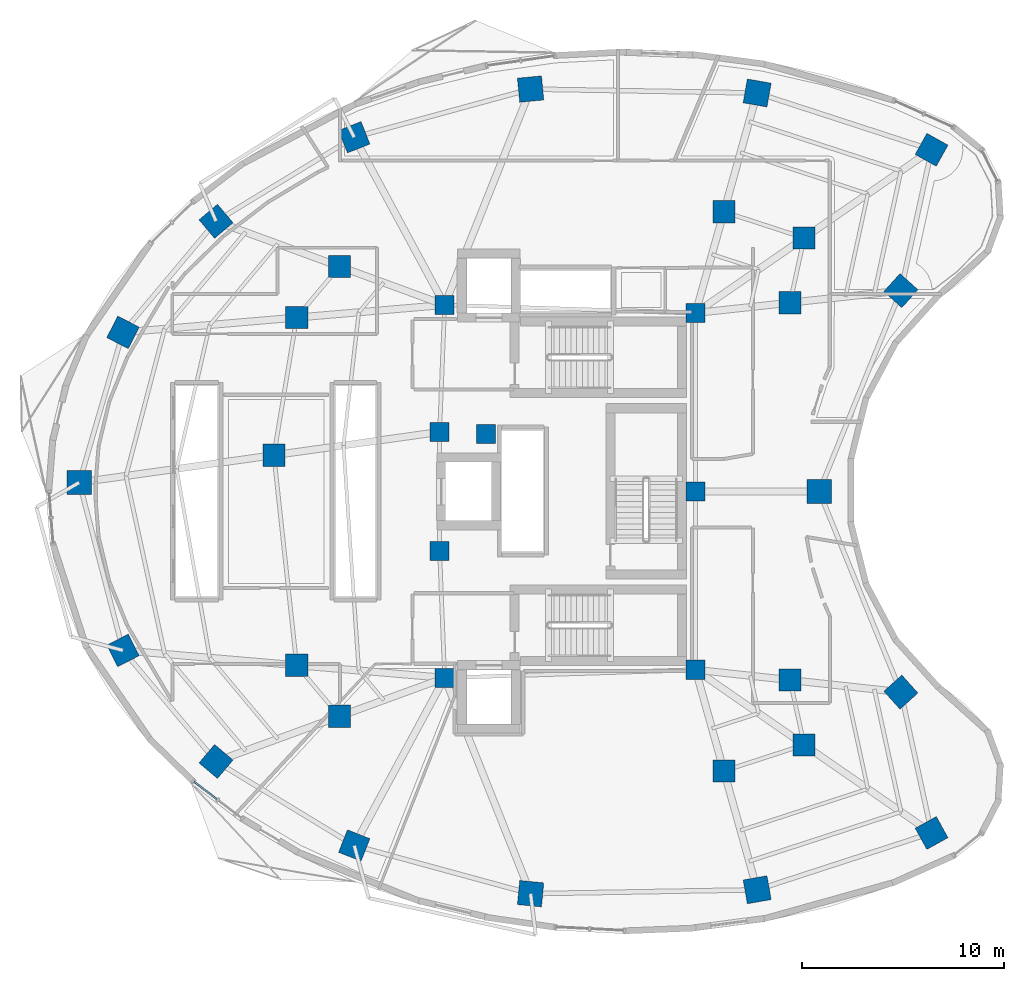
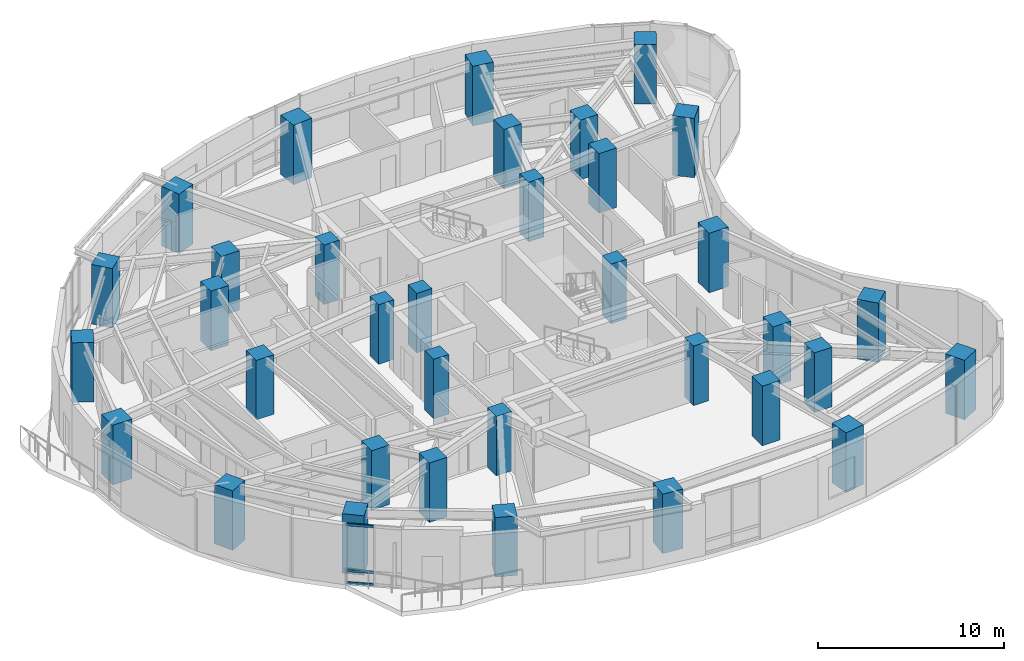
# One storey, part 1 of 14: 35 columns, 3 members, 1 element without a shape of its own.
"""IFC4 building model written with IfcOpenShell, lengths in metres."""

from ifc_helpers import new_model, si_unit, direction, frame, origin, origin_2d, place, context, subcontext, project, spatial, rectangle, extrude, material, layer, layer_set, material_profile, profile_set, type_object, element, aggregate, save


model = new_model("IFC4")

# Units and contexts
model_context = context("Model", 3, precision=1e-05, world=origin(), true_north=direction((0.0, 1.0)))
body_context = subcontext(model_context, "Body", "Model", "MODEL_VIEW")
ifc_project = project(units=[si_unit("LENGTHUNIT", "METRE"), si_unit("AREAUNIT", "SQUARE_METRE"), si_unit("VOLUMEUNIT", "CUBIC_METRE"), si_unit("PLANEANGLEUNIT", "RADIAN"), si_unit("MASSUNIT", "GRAM", prefix="KILO")], contexts=[model_context])

# Site, building, storey
site_placement = place(None, origin())
site = spatial("IfcSite", under=ifc_project, at=site_placement, CompositionType="ELEMENT")
building_placement = place(site_placement, origin())
building = spatial("IfcBuilding", under=site, at=building_placement, Name="Korentha Bioscience Tower", CompositionType="ELEMENT")
storey_placement = place(building_placement, frame((0.0, 0.0, 102.60009765625)))
storey = spatial("IfcBuildingStorey", under=building, at=storey_placement, Name="L23", CompositionType="ELEMENT", Elevation=102.60009765625)

# Columns
ifc_material_1 = material(Name="Concrete C65", Category="concrete")
ifc_material_profile_1 = material_profile(ifc_material_1, rectangle(XDim=0.949951171875, YDim=0.949951171875, at=origin_2d()), Name="Concrete C65")
ifc_profile_set_1 = profile_set([ifc_material_profile_1], Name="Concrete C65 (COL-CP09)")
column_type_1 = type_object("IfcColumnType", Name="Core Pilaster Column RC 950x950", PredefinedType="PILASTER", material=ifc_profile_set_1)
for number, where, z_axis, x_axis, name in (
    (1, (37.550048828125, 35.85009765625, -0.00048828125), (0.0, 0.0, 1.0), (1.0, 0.0, 0.0), "L23 Core Pilaster CP-01"),
    (2, (25.10009765625, 36.25, -0.00048828125), (0.0, 0.0, 1.0), (1.0, 0.0, 0.0), "L23 Core Pilaster CP-02"),
    (3, (24.85009765625, 29.949951171875, -0.00048828125), (0.0, 0.0, 1.0), (1.0, 0.0, 0.0), "L23 Core Pilaster CP-03"),
    (4, (27.14990234375, 29.85009765625, -0.00048828125), (0.0, 0.0, 1.0), (1.0, 0.0, 0.0), "L23 Core Pilaster CP-04"),
    (5, (24.85009765625, 24.050048828125, -0.00048828125), (0.0, 0.0, 1.0), (1.0, 0.0, 0.0), "L23 Core Pilaster CP-05"),
    (6, (25.10009765625, 17.75, -0.00048828125), (0.0, 0.0, 1.0), (1.0, 0.0, 0.0), "L23 Core Pilaster CP-06"),
    (7, (37.550048828125, 18.14990234375, -0.00048828125), (0.0, 0.0, 1.0), (1.0, 0.0, 0.0), "L23 Core Pilaster CP-07"),
    (8, (37.550048828125, 27.0, -0.00048828125), (0.0, 0.0, 1.0), (1.0, 0.0, 0.0), "L23 Core Pilaster CP-08"),
):
    element("IfcColumn", number, at=place(storey_placement, frame(where, z_axis=z_axis, x_axis=x_axis)), inside=storey, type_object=column_type_1, Name=name, PredefinedType="PILASTER", context=body_context, shape_type="SweptSolid", body=[
        extrude(rectangle(XDim=0.949951171875, YDim=0.949951171875, at=origin_2d()), origin(), (0.0, 0.0, 1.0), 3.90087890625),
    ])
ifc_material_2 = material(Name="Concrete C80", Category="concrete")
ifc_material_profile_2 = material_profile(ifc_material_2, rectangle(XDim=1.10009765625, YDim=1.10009765625, at=origin_2d()), Name="Concrete C80")
ifc_profile_set_2 = profile_set([ifc_material_profile_2], Name="Concrete C80 (COL-MR11)")
column_type_2 = type_object("IfcColumnType", Name="Mid-Ring Lab Column RC 1100x1100", PredefinedType="COLUMN", material=ifc_profile_set_2)
for number, where, z_axis, x_axis, name in (
    (9, (42.93603515625, 39.57470703125, -0.00048828125), (0.0, 0.0, 1.0), (1.0, 0.0, 0.0), "L23 Mid-Ring Column 01"),
    (10, (38.954833984375, 40.870849609375, -0.00048828125), (0.0, 0.0, 1.0), (1.0, 0.0, 0.0), "L23 Mid-Ring Column 02"),
    (11, (19.882568359375, 38.158935546875, -0.00048828125), (0.0, 0.0, 1.0), (1.0, 0.0, 0.0), "L23 Mid-Ring Column 05"),
    (12, (17.75927734375, 35.6240234375, -0.00048828125), (0.0, 0.0, 1.0), (1.0, 0.0, 0.0), "L23 Mid-Ring Column 06"),
    (13, (16.627197265625, 28.796630859375, -0.00048828125), (0.0, 0.0, 1.0), (1.0, 0.0, 0.0), "L23 Mid-Ring Column 07"),
    (14, (17.75927734375, 18.3759765625, -0.00048828125), (0.0, 0.0, 1.0), (1.0, 0.0, 0.0), "L23 Mid-Ring Column 08"),
    (15, (19.882568359375, 15.841064453125, -0.00048828125), (0.0, 0.0, 1.0), (1.0, 0.0, 0.0), "L23 Mid-Ring Column 09"),
    (16, (38.954833984375, 13.129150390625, -0.00048828125), (0.0, 0.0, 1.0), (1.0, 0.0, 0.0), "L23 Mid-Ring Column 12"),
    (17, (42.93603515625, 14.42529296875, -0.00048828125), (0.0, 0.0, 1.0), (1.0, 0.0, 0.0), "L23 Mid-Ring Column 13"),
    (18, (42.235595703125, 17.639404296875, -0.00048828125), (0.0, 0.0, 1.0), (1.0, 0.0, 0.0), "L23 Mid-Ring Column 14"),
    (19, (42.235595703125, 36.360595703125, -0.00048828125), (0.0, 0.0, 1.0), (1.0, 0.0, 0.0), "L23 Mid-Ring Column 16"),
):
    element("IfcColumn", number, at=place(storey_placement, frame(where, z_axis=z_axis, x_axis=x_axis)), inside=storey, type_object=column_type_2, Name=name, PredefinedType="COLUMN", context=body_context, shape_type="SweptSolid", body=[
        extrude(rectangle(XDim=1.10009765625, YDim=1.10009765625, at=origin_2d()), origin(), (0.0, 0.0, 1.0), 3.90087890625),
    ])
ifc_material_profile_3 = material_profile(ifc_material_2, rectangle(XDim=1.199951171875, YDim=1.199951171875, at=origin_2d()), Name="Concrete C80")
ifc_profile_set_3 = profile_set([ifc_material_profile_3], Name="Concrete C80 (COL-P12)")
column_type_3 = type_object("IfcColumnType", Name="Perimeter Column RC 1200x1200", PredefinedType="COLUMN", material=ifc_profile_set_3)
for number, where, z_axis, x_axis, name in (
    (20, (49.2587890625, 43.947021484375, -0.00048828125), (0.0, 0.0, 1.0), (-0.874535078577, 0.484962262797, 0.0), "L23 Perimeter Column 01"),
    (21, (40.604248046875, 46.764892578125, -0.00048828125), (0.0, 0.0, 1.0), (-0.984868307662, 0.173304404339, 0.0), "L23 Perimeter Column 02"),
    (22, (29.3642578125, 46.959228515625, -0.00048828125), (0.0, 0.0, 1.0), (0.995462868748, 0.095150811579, 0.0), "L23 Perimeter Column 03"),
    (23, (20.614990234375, 44.5693359375, -0.00048828125), (0.0, 0.0, 1.0), (0.930225540858, 0.366988341962, 0.0), "L23 Perimeter Column 04"),
    (24, (13.7578125, 40.400146484375, -0.00048828125), (0.0, 0.0, 1.0), (0.764246456939, 0.644924300253, 0.0), "L23 Perimeter Column 05"),
    (25, (9.141845703125, 34.889404296875, -0.00048828125), (0.0, 0.0, 1.0), (0.453057191132, 0.891481453292, 0.0), "L23 Perimeter Column 06"),
    (26, (6.97412109375, 27.4423828125, -0.00048828125), (0.0, 0.0, 1.0), (0.0, 1.0, 0.0), "L23 Perimeter Column 07"),
    (27, (9.141845703125, 19.110595703125, -0.00048828125), (0.0, 0.0, 1.0), (-0.453057191132, 0.891481453292, 0.0), "L23 Perimeter Column 08"),
    (28, (13.7578125, 13.599853515625, -0.00048828125), (0.0, 0.0, 1.0), (-0.764246456939, 0.644924300253, 0.0), "L23 Perimeter Column 09"),
    (29, (20.614990234375, 9.4306640625, -0.00048828125), (0.0, 0.0, 1.0), (-0.930225540858, 0.366988341962, 0.0), "L23 Perimeter Column 10"),
    (30, (29.3642578125, 7.040771484375, -0.00048828125), (0.0, 0.0, 1.0), (-0.995462868748, 0.095150811579, 0.0), "L23 Perimeter Column 11"),
    (31, (40.604248046875, 7.235107421875, -0.00048828125), (0.0, 0.0, 1.0), (0.984868307662, 0.173304404339, 0.0), "L23 Perimeter Column 12"),
    (32, (49.2587890625, 10.052978515625, -0.00048828125), (0.0, 0.0, 1.0), (0.874535078577, 0.484962262797, 0.0), "L23 Perimeter Column 13"),
    (33, (47.736083984375, 17.040283203125, -0.00048828125), (0.0, 0.0, 1.0), (-0.669130606359, 0.743144825477, 0.0), "L23 Perimeter Column 14"),
    (34, (43.680908203125, 27.0, -0.00048828125), (0.0, 0.0, 1.0), (0.0, 1.0, 0.0), "L23 Perimeter Column 15"),
    (35, (47.736083984375, 36.959716796875, -0.00048828125), (0.0, 0.0, 1.0), (0.669130606359, 0.743144825477, 0.0), "L23 Perimeter Column 16"),
):
    element("IfcColumn", number, at=place(storey_placement, frame(where, z_axis=z_axis, x_axis=x_axis)), inside=storey, type_object=column_type_3, Name=name, PredefinedType="COLUMN", context=body_context, shape_type="SweptSolid", body=[
        extrude(rectangle(XDim=1.199951171875, YDim=1.199951171875, at=origin_2d()), origin(), (0.0, 0.0, 1.0), 3.90087890625),
    ])

# Curtain wall, members
ifc_material_3 = material(Name="Thermally Broken Aluminium Frame", Category="aluminium")
ifc_layer = layer(ifc_material_3, 0.219970703125, Name="Thermally Broken Aluminium Frame")
ifc_layer_set = layer_set([ifc_layer], Name="Thermally Broken Aluminium Frame (CW-T1)")
curtain_wall_type = type_object("IfcCurtainWallType", Name="Standard Bioscience Lab Unitised Curtain Wall CW-T1", PredefinedType="USERDEFINED", material=ifc_layer_set)
curtain_wall_placement = place(storey_placement, origin())
curtain_wall = element("IfcCurtainWall", 36, at=curtain_wall_placement, inside=storey, type_object=curtain_wall_type, Name="L23 Curtain Wall 25", ObjectType="UNITISED", PredefinedType="USERDEFINED")
ifc_material_4 = material(Name="Anodised Aluminium 6063-T6", Category="aluminium")
ifc_material_profile_4 = material_profile(ifc_material_4, rectangle(XDim=0.090087890625, YDim=0.159912109375, at=origin_2d()), Name="Anodised Aluminium 6063-T6")
ifc_profile_set_4 = profile_set([ifc_material_profile_4], Name="Anodised Aluminium 6063-T6 (CW-TRN)")
member_type = type_object("IfcMemberType", Name="Transom RECT 90x160", PredefinedType="USERDEFINED", material=ifc_profile_set_4)
member_1_placement = place(storey_placement, frame((12.659912109375, 12.601318359375, 0.044921875), z_axis=(0.794559026989, -0.607186917374, 0.0), x_axis=(0.607186917374, 0.794559026989, 0.0)))
member_1 = element("IfcMember", 37, at=member_1_placement, type_object=member_type, Name="CW-L23-25 Bay 1 Transom 1", ObjectType="TRANSOM", PredefinedType="USERDEFINED", context=body_context, shape_type="SweptSolid", body=[
    extrude(rectangle(XDim=0.090087890625, YDim=0.159912109375, at=origin_2d()), origin(), (0.0, 0.0, 1.0), 1.4462890625),
])
member_2_placement = place(storey_placement, frame((12.659912109375, 12.601318359375, 0.849853515625), z_axis=(0.794559026989, -0.607186917374, 0.0), x_axis=(0.607186917374, 0.794559026989, 0.0)))
member_2 = element("IfcMember", 38, at=member_2_placement, type_object=member_type, Name="CW-L23-25 Bay 1 Transom 2", ObjectType="TRANSOM", PredefinedType="USERDEFINED", context=body_context, shape_type="SweptSolid", body=[
    extrude(rectangle(XDim=0.090087890625, YDim=0.159912109375, at=origin_2d()), origin(), (0.0, 0.0, 1.0), 1.4462890625),
])
member_3_placement = place(storey_placement, frame((12.659912109375, 12.601318359375, 3.85498046875), z_axis=(0.794559026989, -0.607186917374, 0.0), x_axis=(0.607186917374, 0.794559026989, 0.0)))
member_3 = element("IfcMember", 39, at=member_3_placement, type_object=member_type, Name="CW-L23-25 Bay 1 Transom 3", ObjectType="TRANSOM", PredefinedType="USERDEFINED", context=body_context, shape_type="SweptSolid", body=[
    extrude(rectangle(XDim=0.090087890625, YDim=0.159912109375, at=origin_2d()), origin(), (0.0, 0.0, 1.0), 1.4462890625),
])
aggregate(curtain_wall, [member_1, member_2, member_3])

save(model, "model.ifc")
